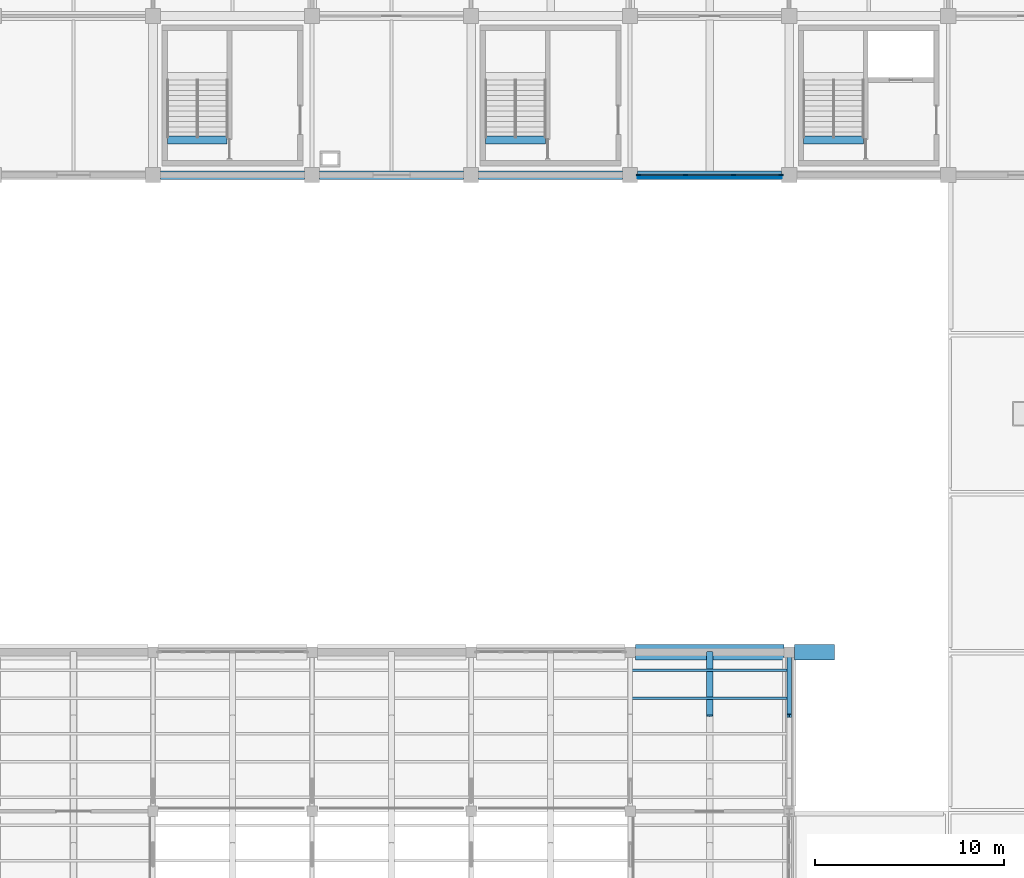
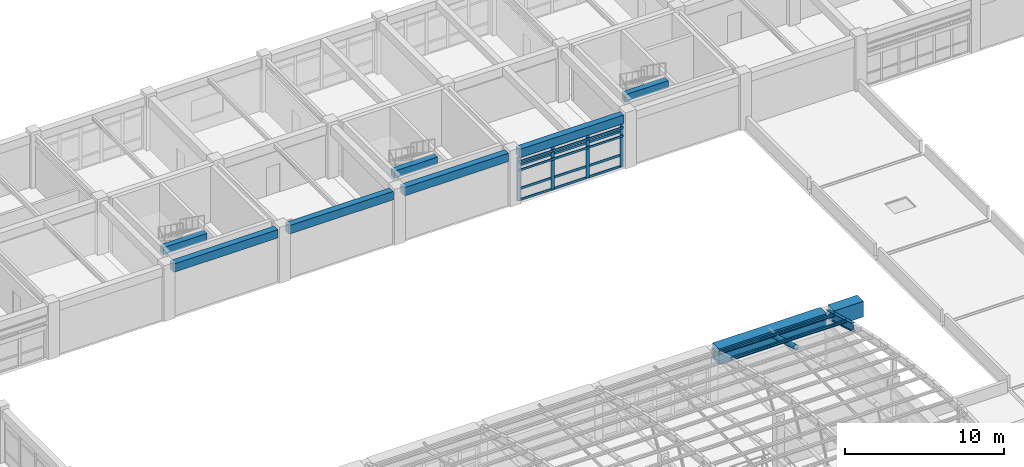
# One storey, part 35 of 74: 21 members, 10 beams, 1 element without a shape of its own.
"""IFC4 building model written with IfcOpenShell, lengths in metres."""

from ifc_helpers import new_model, si_unit, direction, frame, origin, origin_2d, place, context, subcontext, project, spatial, rectangle, hollow_circle, i_section, extrude, material, layer, layer_set, material_profile, profile_set, type_object, element, aggregate, save


model = new_model("IFC4")

# Units and contexts
model_context = context("Model", 3, precision=1e-05, world=origin(), true_north=direction((0.0, 1.0)))
body_context = subcontext(model_context, "Body", "Model", "MODEL_VIEW")
ifc_project = project(units=[si_unit("LENGTHUNIT", "METRE"), si_unit("AREAUNIT", "SQUARE_METRE"), si_unit("VOLUMEUNIT", "CUBIC_METRE"), si_unit("PLANEANGLEUNIT", "RADIAN"), si_unit("MASSUNIT", "GRAM", prefix="KILO")], contexts=[model_context])

# Site, building, storey
site_placement = place(None, origin())
site = spatial("IfcSite", under=ifc_project, at=site_placement, CompositionType="ELEMENT")
building_placement = place(site_placement, origin())
building = spatial("IfcBuilding", under=site, at=building_placement, Name="Porcellanite Civic Hall", CompositionType="ELEMENT")
storey_placement = place(building_placement, frame((0.0, 0.0, 14.760009765625)))
storey = spatial("IfcBuildingStorey", under=building, at=storey_placement, Name="L03", CompositionType="ELEMENT", Elevation=14.760009765625)

# Member
ifc_material_1 = material(Name="Steel C350L0", Category="steel")
ifc_material_profile_1 = material_profile(ifc_material_1, hollow_circle(Radius=0.177734375, WallThickness=0.0126953125, at=origin_2d()), Name="355.6x12.7CHS")
ifc_profile_set_1 = profile_set([ifc_material_profile_1], Name="Steel C350L0")
member_type_1 = type_object("IfcMemberType", Name="ARCH-355CHS", PredefinedType="RAFTER", material=ifc_profile_set_1)
member_1_placement = place(storey_placement, frame((105.0, 72.239990234375, 4.689208984375), z_axis=(0.0, 0.961270518067, -0.275606587539), x_axis=(-1.0, 0.0, 0.0)))
element("IfcMember", 1, at=member_1_placement, inside=storey, type_object=member_type_1, Name="Chamber secondary arch segment 12 10", PredefinedType="RAFTER", context=body_context, shape_type="SweptSolid", body=[
    extrude(hollow_circle(Radius=0.177734375, WallThickness=0.0126953125, at=origin_2d()), origin(), (0.0, 0.0, 1.0), 3.49560546875),
])

# Beams
ifc_material_2 = material(Name="Concrete N50 (50 MPa)", Category="concrete")
ifc_material_profile_2 = material_profile(ifc_material_2, rectangle(XDim=0.39990234375, YDim=0.550048828125, at=origin_2d()), Name="RC-400x550")
ifc_profile_set_2 = profile_set([ifc_material_profile_2], Name="Concrete N50 (50 MPa)")
beam_type_1 = type_object("IfcBeamType", Name="BM-RC550", PredefinedType="JOIST", material=ifc_profile_set_2)
for number, where, z_axis, x_axis, name in (
    (2, (109.96044921875, 102.64990234375, 3.794921875), (1.0, 0.0, 0.0), (0.0, 1.0, 0.0), "Stair header beam C4 L03"),
    (3, (76.360595703125, 102.64990234375, 3.794921875), (1.0, 0.0, 0.0), (0.0, 1.0, 0.0), "Stair header beam S9 L03"),
):
    element("IfcBeam", number, at=place(storey_placement, frame(where, z_axis=z_axis, x_axis=x_axis)), inside=storey, type_object=beam_type_1, Name=name, PredefinedType="JOIST", context=body_context, shape_type="SweptSolid", body=[
        extrude(rectangle(XDim=0.39990234375, YDim=0.550048828125, at=origin_2d()), origin(), (0.0, 0.0, 1.0), 3.158935546875),
    ])
beam_1_placement = place(storey_placement, frame((93.160400390625, 102.64990234375, 3.794921875), z_axis=(1.0, 0.0, 0.0), x_axis=(0.0, 1.0, 0.0)))
element("IfcBeam", 4, at=beam_1_placement, inside=storey, type_object=beam_type_1, Name="Stair header beam S10 L03", PredefinedType="JOIST", context=body_context, shape_type="SweptSolid", body=[
    extrude(rectangle(XDim=0.39990234375, YDim=0.550048828125, at=origin_2d()), origin(), (0.0, 0.0, 1.0), 3.1591796875),
])
ifc_material_3 = material(Name="Concrete N50 (50 MPa)", Category="concrete")
ifc_material_profile_3 = material_profile(ifc_material_3, rectangle(XDim=0.449951171875, YDim=0.64990234375, at=origin_2d()), Name="RC-450x650")
ifc_profile_set_3 = profile_set([ifc_material_profile_3], Name="Concrete N50 (50 MPa)")
beam_type_2 = type_object("IfcBeamType", Name="BM-RC650", PredefinedType="SPANDREL", material=ifc_profile_set_3)
for number, where, z_axis, x_axis, name in (
    (5, (75.99951171875, 100.800048828125, 3.744873046875), (1.0, 0.0, 0.0), (0.0, 1.0, 0.0), "Beam X L03 10-13"),
    (6, (84.3994140625, 100.800048828125, 3.744873046875), (1.0, 0.0, 0.0), (0.0, 1.0, 0.0), "Beam X L03 11-13"),
):
    element("IfcBeam", number, at=place(storey_placement, frame(where, z_axis=z_axis, x_axis=x_axis)), inside=storey, type_object=beam_type_2, Name=name, PredefinedType="SPANDREL", context=body_context, shape_type="SweptSolid", body=[
        extrude(rectangle(XDim=0.449951171875, YDim=0.64990234375, at=origin_2d()), origin(), (0.0, 0.0, 1.0), 7.60107421875),
    ])
beam_2_placement = place(storey_placement, frame((92.799560546875, 100.800048828125, 3.744873046875), z_axis=(1.0, 0.0, 0.0), x_axis=(0.0, 1.0, 0.0)))
element("IfcBeam", 7, at=beam_2_placement, inside=storey, type_object=beam_type_2, Name="Beam X L03 12-13", PredefinedType="SPANDREL", context=body_context, shape_type="SweptSolid", body=[
    extrude(rectangle(XDim=0.449951171875, YDim=0.64990234375, at=origin_2d()), origin(), (0.0, 0.0, 1.0), 7.600830078125),
])
beam_3_placement = place(storey_placement, frame((101.199462890625, 100.800048828125, 3.744873046875), z_axis=(1.0, 0.0, 0.0), x_axis=(0.0, 1.0, 0.0)))
element("IfcBeam", 8, at=beam_3_placement, inside=storey, type_object=beam_type_2, Name="Beam X L03 13-13", PredefinedType="SPANDREL", context=body_context, shape_type="SweptSolid", body=[
    extrude(rectangle(XDim=0.449951171875, YDim=0.64990234375, at=origin_2d()), origin(), (0.0, 0.0, 1.0), 7.60107421875),
])

# Curtain wall, members
ifc_material_4 = material(Name="Anodised aluminium and solar laminated glass", Category="aluminium")
ifc_layer = layer(ifc_material_4, 0.179931640625)
ifc_layer_set = layer_set([ifc_layer], Name="Anodised aluminium and solar laminated glass")
curtain_wall_type = type_object("IfcCurtainWallType", Name="CW-SYS08", PredefinedType="NOTDEFINED", material=ifc_layer_set)
curtain_wall_placement = place(storey_placement, origin())
curtain_wall = element("IfcCurtainWall", 9, at=curtain_wall_placement, inside=storey, type_object=curtain_wall_type, Name="Curtain wall CW-214", PredefinedType="NOTDEFINED")
ifc_material_5 = material(Name="Anodised aluminium 6063-T6", Category="aluminium")
ifc_material_profile_4 = material_profile(ifc_material_5, rectangle(XDim=0.080078125, YDim=0.239990234375, at=origin_2d()), Name="AL-80x240")
ifc_profile_set_4 = profile_set([ifc_material_profile_4], Name="Anodised aluminium 6063-T6")
member_type_2 = type_object("IfcMemberType", Name="CWM-01", PredefinedType="MULLION", material=ifc_profile_set_4)
member_2_placement = place(storey_placement, frame((108.759033203125, 100.800048828125, 0.0), z_axis=(0.0, 0.0, 1.0), x_axis=(0.0, -1.0, 0.0)))
member_2 = element("IfcMember", 10, at=member_2_placement, type_object=member_type_2, Name="CW-214 mullion 1", PredefinedType="MULLION", context=body_context, shape_type="SweptSolid", body=[
    extrude(rectangle(XDim=0.080078125, YDim=0.239990234375, at=origin_2d()), origin(), (0.0, 0.0, 1.0), 3.369873046875),
])
member_3_placement = place(storey_placement, frame((106.266357421875, 100.800048828125, 0.0), z_axis=(0.0, 0.0, 1.0), x_axis=(0.0, -1.0, 0.0)))
member_3 = element("IfcMember", 11, at=member_3_placement, type_object=member_type_2, Name="CW-214 mullion 2", PredefinedType="MULLION", context=body_context, shape_type="SweptSolid", body=[
    extrude(rectangle(XDim=0.080078125, YDim=0.239990234375, at=origin_2d()), origin(), (0.0, 0.0, 1.0), 3.369873046875),
])
member_4_placement = place(storey_placement, frame((103.733642578125, 100.800048828125, 0.0), z_axis=(0.0, 0.0, 1.0), x_axis=(0.0, -1.0, 0.0)))
member_4 = element("IfcMember", 12, at=member_4_placement, type_object=member_type_2, Name="CW-214 mullion 3", PredefinedType="MULLION", context=body_context, shape_type="SweptSolid", body=[
    extrude(rectangle(XDim=0.080078125, YDim=0.239990234375, at=origin_2d()), origin(), (0.0, 0.0, 1.0), 3.369873046875),
])
member_5_placement = place(storey_placement, frame((101.240966796875, 100.800048828125, 0.0), z_axis=(0.0, 0.0, 1.0), x_axis=(0.0, -1.0, 0.0)))
member_5 = element("IfcMember", 13, at=member_5_placement, type_object=member_type_2, Name="CW-214 mullion 4", PredefinedType="MULLION", context=body_context, shape_type="SweptSolid", body=[
    extrude(rectangle(XDim=0.080078125, YDim=0.239990234375, at=origin_2d()), origin(), (0.0, 0.0, 1.0), 3.369873046875),
])
ifc_material_6 = material(Name="Anodised aluminium 6063-T6", Category="aluminium")
ifc_material_profile_5 = material_profile(ifc_material_6, rectangle(XDim=0.070068359375, YDim=0.175048828125, at=origin_2d()), Name="AL-70x175")
ifc_profile_set_5 = profile_set([ifc_material_profile_5], Name="Anodised aluminium 6063-T6")
member_type_3 = type_object("IfcMemberType", Name="CWT-01", PredefinedType="USERDEFINED", material=ifc_profile_set_5)
member_6_placement = place(storey_placement, frame((108.718994140625, 100.800048828125, 0.034912109375), z_axis=(-1.0, 0.0, 0.0), x_axis=(0.0, -1.0, 0.0)))
member_6 = element("IfcMember", 14, at=member_6_placement, type_object=member_type_3, Name="CW-214 transom 1.1", ObjectType="TRANSOM", PredefinedType="USERDEFINED", context=body_context, shape_type="SweptSolid", body=[
    extrude(rectangle(XDim=0.070068359375, YDim=0.175048828125, at=origin_2d()), origin(), (0.0, 0.0, 1.0), 2.41259765625),
])
member_7_placement = place(storey_placement, frame((108.718994140625, 100.800048828125, 0.89990234375), z_axis=(-1.0, 0.0, 0.0), x_axis=(0.0, -1.0, 0.0)))
member_7 = element("IfcMember", 15, at=member_7_placement, type_object=member_type_3, Name="CW-214 transom 1.2", ObjectType="TRANSOM", PredefinedType="USERDEFINED", context=body_context, shape_type="SweptSolid", body=[
    extrude(rectangle(XDim=0.070068359375, YDim=0.175048828125, at=origin_2d()), origin(), (0.0, 0.0, 1.0), 2.41259765625),
])
member_8_placement = place(storey_placement, frame((108.718994140625, 100.800048828125, 2.719970703125), z_axis=(-1.0, 0.0, 0.0), x_axis=(0.0, -1.0, 0.0)))
member_8 = element("IfcMember", 16, at=member_8_placement, type_object=member_type_3, Name="CW-214 transom 1.3", ObjectType="TRANSOM", PredefinedType="USERDEFINED", context=body_context, shape_type="SweptSolid", body=[
    extrude(rectangle(XDim=0.070068359375, YDim=0.175048828125, at=origin_2d()), origin(), (0.0, 0.0, 1.0), 2.41259765625),
])
member_9_placement = place(storey_placement, frame((108.718994140625, 100.800048828125, 3.3349609375), z_axis=(-1.0, 0.0, 0.0), x_axis=(0.0, -1.0, 0.0)))
member_9 = element("IfcMember", 17, at=member_9_placement, type_object=member_type_3, Name="CW-214 transom 1.4", ObjectType="TRANSOM", PredefinedType="USERDEFINED", context=body_context, shape_type="SweptSolid", body=[
    extrude(rectangle(XDim=0.070068359375, YDim=0.175048828125, at=origin_2d()), origin(), (0.0, 0.0, 1.0), 2.41259765625),
])
member_10_placement = place(storey_placement, frame((106.226318359375, 100.800048828125, 0.034912109375), z_axis=(-1.0, 0.0, 0.0), x_axis=(0.0, -1.0, 0.0)))
member_10 = element("IfcMember", 18, at=member_10_placement, type_object=member_type_3, Name="CW-214 transom 2.1", ObjectType="TRANSOM", PredefinedType="USERDEFINED", context=body_context, shape_type="SweptSolid", body=[
    extrude(rectangle(XDim=0.070068359375, YDim=0.175048828125, at=origin_2d()), origin(), (0.0, 0.0, 1.0), 2.45263671875),
])
member_11_placement = place(storey_placement, frame((106.226318359375, 100.800048828125, 0.89990234375), z_axis=(-1.0, 0.0, 0.0), x_axis=(0.0, -1.0, 0.0)))
member_11 = element("IfcMember", 19, at=member_11_placement, type_object=member_type_3, Name="CW-214 transom 2.2", ObjectType="TRANSOM", PredefinedType="USERDEFINED", context=body_context, shape_type="SweptSolid", body=[
    extrude(rectangle(XDim=0.070068359375, YDim=0.175048828125, at=origin_2d()), origin(), (0.0, 0.0, 1.0), 2.45263671875),
])
member_12_placement = place(storey_placement, frame((106.226318359375, 100.800048828125, 2.719970703125), z_axis=(-1.0, 0.0, 0.0), x_axis=(0.0, -1.0, 0.0)))
member_12 = element("IfcMember", 20, at=member_12_placement, type_object=member_type_3, Name="CW-214 transom 2.3", ObjectType="TRANSOM", PredefinedType="USERDEFINED", context=body_context, shape_type="SweptSolid", body=[
    extrude(rectangle(XDim=0.070068359375, YDim=0.175048828125, at=origin_2d()), origin(), (0.0, 0.0, 1.0), 2.45263671875),
])
member_13_placement = place(storey_placement, frame((106.226318359375, 100.800048828125, 3.3349609375), z_axis=(-1.0, 0.0, 0.0), x_axis=(0.0, -1.0, 0.0)))
member_13 = element("IfcMember", 21, at=member_13_placement, type_object=member_type_3, Name="CW-214 transom 2.4", ObjectType="TRANSOM", PredefinedType="USERDEFINED", context=body_context, shape_type="SweptSolid", body=[
    extrude(rectangle(XDim=0.070068359375, YDim=0.175048828125, at=origin_2d()), origin(), (0.0, 0.0, 1.0), 2.45263671875),
])
member_14_placement = place(storey_placement, frame((103.693603515625, 100.800048828125, 0.034912109375), z_axis=(-1.0, 0.0, 0.0), x_axis=(0.0, -1.0, 0.0)))
member_14 = element("IfcMember", 22, at=member_14_placement, type_object=member_type_3, Name="CW-214 transom 3.1", ObjectType="TRANSOM", PredefinedType="USERDEFINED", context=body_context, shape_type="SweptSolid", body=[
    extrude(rectangle(XDim=0.070068359375, YDim=0.175048828125, at=origin_2d()), origin(), (0.0, 0.0, 1.0), 2.41259765625),
])
member_15_placement = place(storey_placement, frame((103.693603515625, 100.800048828125, 0.89990234375), z_axis=(-1.0, 0.0, 0.0), x_axis=(0.0, -1.0, 0.0)))
member_15 = element("IfcMember", 23, at=member_15_placement, type_object=member_type_3, Name="CW-214 transom 3.2", ObjectType="TRANSOM", PredefinedType="USERDEFINED", context=body_context, shape_type="SweptSolid", body=[
    extrude(rectangle(XDim=0.070068359375, YDim=0.175048828125, at=origin_2d()), origin(), (0.0, 0.0, 1.0), 2.41259765625),
])
member_16_placement = place(storey_placement, frame((103.693603515625, 100.800048828125, 2.719970703125), z_axis=(-1.0, 0.0, 0.0), x_axis=(0.0, -1.0, 0.0)))
member_16 = element("IfcMember", 24, at=member_16_placement, type_object=member_type_3, Name="CW-214 transom 3.3", ObjectType="TRANSOM", PredefinedType="USERDEFINED", context=body_context, shape_type="SweptSolid", body=[
    extrude(rectangle(XDim=0.070068359375, YDim=0.175048828125, at=origin_2d()), origin(), (0.0, 0.0, 1.0), 2.41259765625),
])
member_17_placement = place(storey_placement, frame((103.693603515625, 100.800048828125, 3.3349609375), z_axis=(-1.0, 0.0, 0.0), x_axis=(0.0, -1.0, 0.0)))
member_17 = element("IfcMember", 25, at=member_17_placement, type_object=member_type_3, Name="CW-214 transom 3.4", ObjectType="TRANSOM", PredefinedType="USERDEFINED", context=body_context, shape_type="SweptSolid", body=[
    extrude(rectangle(XDim=0.070068359375, YDim=0.175048828125, at=origin_2d()), origin(), (0.0, 0.0, 1.0), 2.41259765625),
])
aggregate(curtain_wall, [member_2, member_3, member_4, member_5, member_6, member_7, member_8, member_9, member_10, member_11, member_12, member_13, member_14, member_15, member_16, member_17])

# Beams
ifc_material_7 = material(Name="Concrete N50 (50 MPa)", Category="concrete")
ifc_material_profile_6 = material_profile(ifc_material_7, rectangle(XDim=0.800048828125, YDim=1.199951171875, at=origin_2d()), Name="RC-800x1200")
ifc_profile_set_6 = profile_set([ifc_material_profile_6], Name="Concrete N50 (50 MPa)")
beam_type_3 = type_object("IfcBeamType", Name="EB-CH1", PredefinedType="SPANDREL", material=ifc_profile_set_6)
beam_4_placement = place(storey_placement, frame((101.074462890625, 75.60009765625, 3.524658203125), z_axis=(1.0, 0.0, 0.0), x_axis=(0.0, 1.0, 0.0)))
element("IfcBeam", 26, at=beam_4_placement, inside=storey, type_object=beam_type_3, Name="Chamber visible shell edge beam N 12", PredefinedType="SPANDREL", context=body_context, shape_type="SweptSolid", body=[
    extrude(rectangle(XDim=0.800048828125, YDim=1.199951171875, at=origin_2d()), origin(), (0.0, 0.0, 1.0), 7.85107421875),
])
beam_5_placement = place(storey_placement, frame((109.474609375, 75.60009765625, 3.524658203125), z_axis=(1.0, 0.0, 0.0), x_axis=(0.0, 1.0, 0.0)))
element("IfcBeam", 27, at=beam_5_placement, inside=storey, type_object=beam_type_3, Name="Chamber cantilevered shell edge beam E N", PredefinedType="SPANDREL", context=body_context, shape_type="SweptSolid", body=[
    extrude(rectangle(XDim=0.800048828125, YDim=1.199951171875, at=origin_2d()), origin(), (0.0, 0.0, 1.0), 2.12548828125),
])

# Members
ifc_material_8 = material(Name="Fluoropolymer bauxite-red aluminium 6063-T6", Category="aluminium")
ifc_material_profile_7 = material_profile(ifc_material_8, rectangle(XDim=0.044921875, YDim=0.159912109375, at=origin_2d()), Name="AL-45x160")
ifc_profile_set_7 = profile_set([ifc_material_profile_7], Name="Fluoropolymer bauxite-red aluminium 6063-T6")
member_type_4 = type_object("IfcMemberType", Name="LV-BLD11", PredefinedType="USERDEFINED", material=ifc_profile_set_7)
for number, where, z_axis, x_axis, name in (
    (28, (108.800537109375, 100.655517578125, 3.070068359375), (-1.0, 0.0, 0.0), (0.0, -1.0, 0.0), "Cyclone sunshade louvre L03 S 12-12 1"),
    (29, (108.800537109375, 100.655517578125, 2.419921875), (-1.0, 0.0, 0.0), (0.0, -1.0, 0.0), "Cyclone sunshade louvre L03 S 12-12 2"),
):
    element("IfcMember", number, at=place(storey_placement, frame(where, z_axis=z_axis, x_axis=x_axis)), inside=storey, type_object=member_type_4, Name=name, ObjectType="LOUVRE BLADE", PredefinedType="USERDEFINED", context=body_context, shape_type="SweptSolid", body=[
        extrude(rectangle(XDim=0.044921875, YDim=0.159912109375, at=origin_2d()), origin(), (0.0, 0.0, 1.0), 7.60107421875),
    ])
ifc_material_9 = material(Name="Steel Grade 350", Category="steel")
ifc_material_profile_8 = material_profile(ifc_material_9, i_section(OverallWidth=0.133056640625, OverallDepth=0.202880859375, WebThickness=0.005859375, FlangeThickness=0.0078125, FilletRadius=0.0087890625, at=origin_2d()), Name="200UB25.4")
ifc_profile_set_8 = profile_set([ifc_material_profile_8], Name="Steel Grade 350")
member_type_5 = type_object("IfcMemberType", Name="PUR-200UB25", PredefinedType="PURLIN", material=ifc_profile_set_8)
for number, where, z_axis, x_axis, name in (
    (30, (100.806396484375, 73.180908203125, 4.69775390625), (1.0, 0.0, 0.0), (0.0, 1.0, 0.0), "Chamber shell purlin 12 10A"),
    (31, (100.806396484375, 74.6591796875, 4.273681640625), (1.0, 0.0, 0.0), (0.0, 1.0, 0.0), "Chamber shell purlin 12 10B"),
):
    element("IfcMember", number, at=place(storey_placement, frame(where, z_axis=z_axis, x_axis=x_axis)), inside=storey, type_object=member_type_5, Name=name, PredefinedType="PURLIN", context=body_context, shape_type="SweptSolid", body=[
        extrude(i_section(OverallWidth=0.133056640625, OverallDepth=0.202880859375, WebThickness=0.005859375, FlangeThickness=0.0078125, FilletRadius=0.0087890625, at=origin_2d()), origin(), (0.0, 0.0, 1.0), 8.38720703125),
    ])

# Beam
ifc_material_10 = material(Name="Steel Grade 350", Category="steel")
ifc_material_profile_9 = material_profile(ifc_material_10, i_section(OverallWidth=0.22900390625, OverallDepth=0.612060546875, WebThickness=0.011962890625, FlangeThickness=0.01953125, FilletRadius=0.013916015625, at=origin_2d()), Name="610UB125")
ifc_profile_set_9 = profile_set([ifc_material_profile_9], Name="Steel Grade 350")
beam_type_4 = type_object("IfcBeamType", Name="RIB-610UB125", PredefinedType="BEAM", material=ifc_profile_set_9)
beam_6_placement = place(storey_placement, frame((109.199951171875, 72.239990234375, 4.75146484375), z_axis=(0.0, 0.961252012167, -0.275671124902), x_axis=(-1.0, 0.0, 0.0)))
element("IfcBeam", 32, at=beam_6_placement, inside=storey, type_object=beam_type_4, Name="Chamber steel arch rib 13 seg 10", PredefinedType="BEAM", context=body_context, shape_type="SweptSolid", body=[
    extrude(i_section(OverallWidth=0.22900390625, OverallDepth=0.612060546875, WebThickness=0.011962890625, FlangeThickness=0.01953125, FilletRadius=0.013916015625, at=origin_2d()), origin(), (0.0, 0.0, 1.0), 3.49560546875),
])

save(model, "model.ifc")
